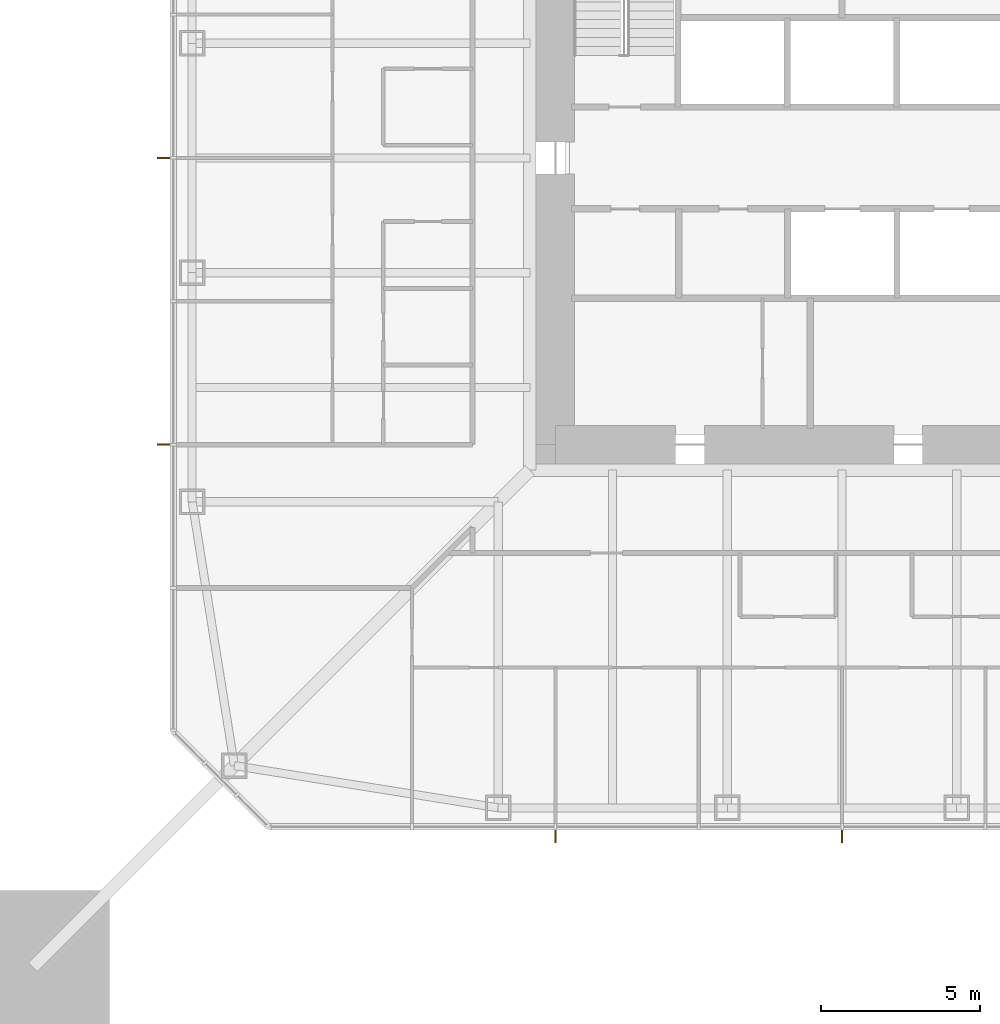
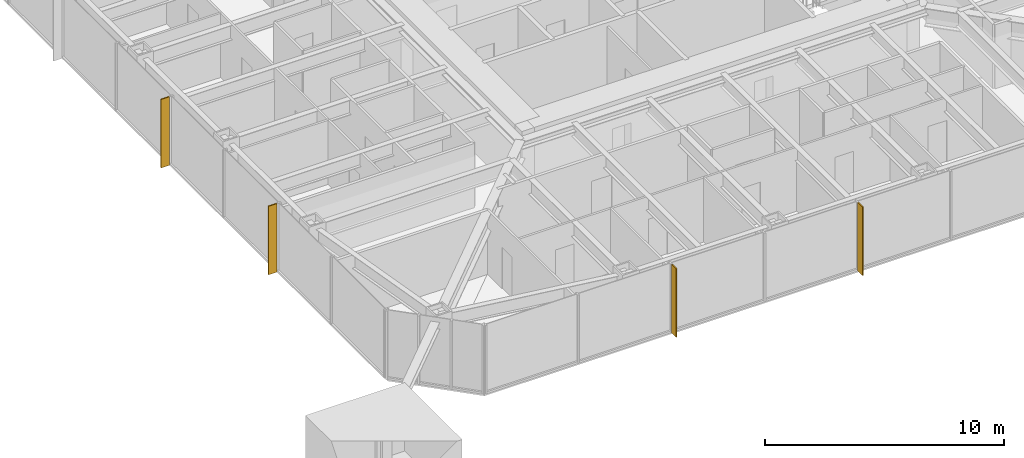
# One storey, part 18 of 23: 4 shading devices.
"""IFC4 building model written with IfcOpenShell, lengths in metres."""

from ifc_helpers import new_model, si_unit, direction, frame, origin, origin_2d, place, context, subcontext, project, spatial, rectangle, extrude, material, layer, layer_set, type_object, element, save


model = new_model("IFC4")

# Units and contexts
model_context = context("Model", 3, precision=1e-05, world=origin(), true_north=direction((0.0, 1.0)))
body_context = subcontext(model_context, "Body", "Model", "MODEL_VIEW")
ifc_project = project(units=[si_unit("LENGTHUNIT", "METRE"), si_unit("AREAUNIT", "SQUARE_METRE"), si_unit("VOLUMEUNIT", "CUBIC_METRE"), si_unit("PLANEANGLEUNIT", "RADIAN"), si_unit("MASSUNIT", "GRAM", prefix="KILO")], contexts=[model_context])

# Site, building, storey
site_placement = place(None, origin())
site = spatial("IfcSite", under=ifc_project, at=site_placement, CompositionType="ELEMENT")
building_placement = place(site_placement, origin())
building = spatial("IfcBuilding", under=site, at=building_placement, Name="Iwan Alto Co-Living Towers", CompositionType="ELEMENT")
storey_placement = place(building_placement, frame((0.0, 0.0, 129.5)))
storey = spatial("IfcBuildingStorey", under=building, at=storey_placement, Name="L35", CompositionType="ELEMENT", Elevation=129.5)

# Shading devices
ifc_material = material(Name="Aluminium 6063-T6 bronze anodised", Category="aluminium")
ifc_layer = layer(ifc_material, 0.050048828125)
ifc_layer_set = layer_set([ifc_layer], Name="BRONZE FIN 50X400")
shading_device_type = type_object("IfcShadingDeviceType", Name="BRONZE FIN 50X400", PredefinedType="USERDEFINED", material=ifc_layer_set)
for number, where, z_axis, x_axis, name in (
    (1, (-9.0, -21.300048828125, 0.0), (0.0, 0.0, 1.0), (1.0, 0.0, 0.0), "Bronze fin L35"),
    (2, (0.0, -21.300048828125, 0.0), (0.0, 0.0, 1.0), (1.0, 0.0, 0.0), "Bronze fin L35"),
    (3, (-21.300048828125, 0.0, 0.0), (0.0, 0.0, 1.0), (0.0, -1.0, 0.0), "Bronze fin L35"),
    (4, (-21.300048828125, -9.0, 0.0), (0.0, 0.0, 1.0), (0.0, -1.0, 0.0), "Bronze fin L35"),
):
    element("IfcShadingDevice", number, at=place(storey_placement, frame(where, z_axis=z_axis, x_axis=x_axis)), inside=storey, type_object=shading_device_type, Name=name, ObjectType="LOUVER", PredefinedType="USERDEFINED", context=body_context, shape_type="SweptSolid", body=[
        extrude(rectangle(XDim=0.050048828125, YDim=0.39990234375, at=origin_2d()), origin(), (0.0, 0.0, 1.0), 3.5),
    ])

save(model, "model.ifc")
